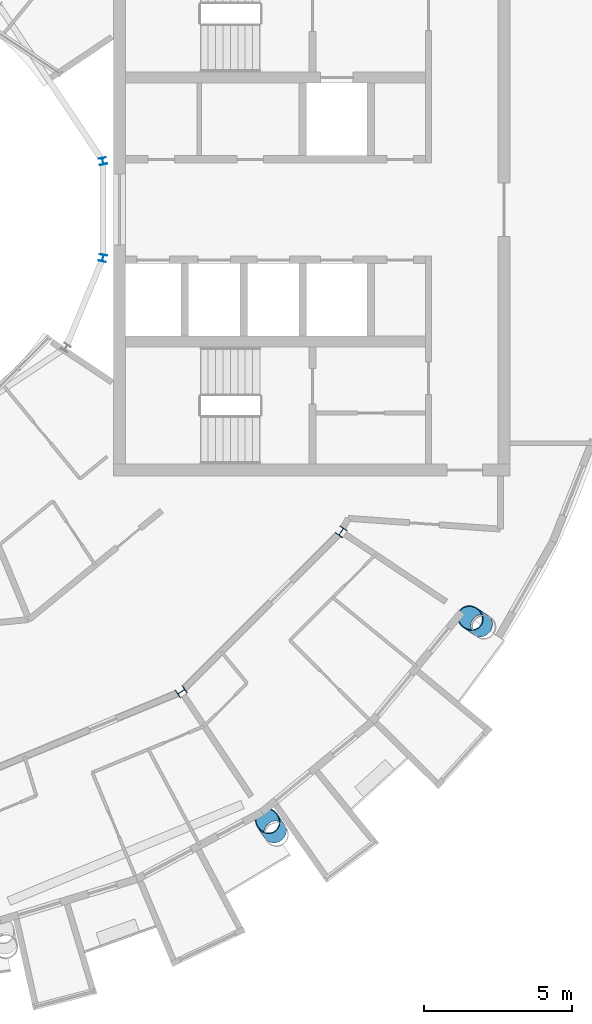
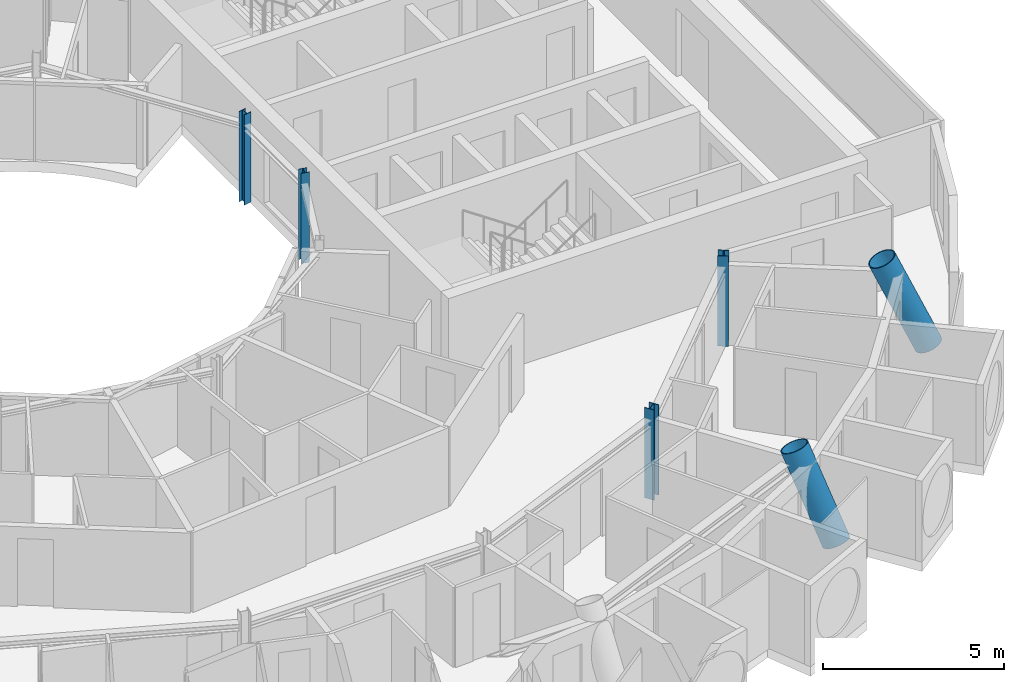
# One storey, part 3 of 27: 6 columns.
"""IFC4 building model written with IfcOpenShell, lengths in metres."""

from ifc_helpers import new_model, si_unit, direction, frame, origin, origin_2d, place, context, subcontext, project, spatial, hollow_circle, i_section, extrude, material, material_profile, profile_set, type_object, element, save


model = new_model("IFC4")

# Units and contexts
model_context = context("Model", 3, precision=1e-05, world=origin(), true_north=direction((0.0, 1.0)))
body_context = subcontext(model_context, "Body", "Model", "MODEL_VIEW")
ifc_project = project(units=[si_unit("LENGTHUNIT", "METRE"), si_unit("AREAUNIT", "SQUARE_METRE"), si_unit("VOLUMEUNIT", "CUBIC_METRE"), si_unit("PLANEANGLEUNIT", "RADIAN"), si_unit("MASSUNIT", "GRAM", prefix="KILO")], contexts=[model_context])

# Site, building, storey
site_placement = place(None, origin())
site = spatial("IfcSite", under=ifc_project, at=site_placement, CompositionType="ELEMENT")
building_placement = place(site_placement, origin())
building = spatial("IfcBuilding", under=site, at=building_placement, Name="Maasbend Ring Residences", CompositionType="ELEMENT")
storey_placement = place(building_placement, frame((0.0, 0.0, 243.199951171875)))
storey = spatial("IfcBuildingStorey", under=building, at=storey_placement, Name="L70", CompositionType="ELEMENT", Elevation=243.199951171875)

# Columns
ifc_material_1 = material(Name="Composite concrete-filled steel tube S460NH / C80/95", Category="concrete")
ifc_material_profile_1 = material_profile(ifc_material_1, hollow_circle(Radius=0.406494140625, WallThickness=0.030029296875, at=origin_2d()), Name="Composite tube column CHS 813x30")
ifc_profile_set_1 = profile_set([ifc_material_profile_1], Name="Composite concrete-filled steel tube S460NH / C80/95")
column_type_1 = type_object("IfcColumnType", Name="Composite tube column CHS 813x30", PredefinedType="COLUMN", material=ifc_profile_set_1)
for number, where, z_axis, x_axis, name in (
    (1, (14.0498046875, -21.027099609375, 0.241943359375), (-0.231750495433, 0.346875102267, 0.908828570905), (-0.831496228988, -0.555530396269, 0.0), "Outer column R14"),
    (2, (21.027099609375, -14.0498046875, 0.241943359375), (-0.346875102267, 0.231750495433, 0.908828570905), (-0.555530396269, -0.831496228988, 0.0), "Outer column R15"),
):
    element("IfcColumn", number, at=place(storey_placement, frame(where, z_axis=z_axis, x_axis=x_axis)), inside=storey, type_object=column_type_1, Name=name, PredefinedType="COLUMN", context=body_context, shape_type="SweptSolid", body=[
        extrude(hollow_circle(Radius=0.406494140625, WallThickness=0.030029296875, at=origin_2d()), origin(), (0.0, 0.0, 1.0), 3.08984375),
    ])
ifc_material_2 = material(Name="Steel S355J2", Category="steel")
ifc_material_profile_2 = material_profile(ifc_material_2, i_section(OverallWidth=0.239990234375, OverallDepth=0.22998046875, WebThickness=0.007568359375, FlangeThickness=0.011962890625, FilletRadius=0.02099609375, at=origin_2d()), Name="HEA 240")
ifc_profile_set_2 = profile_set([ifc_material_profile_2], Name="Steel S355J2")
column_type_2 = type_object("IfcColumnType", Name="Steel column HEA 240", PredefinedType="COLUMN", material=ifc_profile_set_2)
for number, where, z_axis, x_axis, name in (
    (3, (8.238525390625, 1.638916015625, 0.0), (0.0, 0.0, 1.0), (0.980785280403, 0.195090322016, 0.0), "Well ring column R1"),
    (4, (8.238525390625, -1.638916015625, 0.0), (0.0, 0.0, 1.0), (0.980785280403, -0.195090322016, 0.0), "Well ring column R16"),
):
    element("IfcColumn", number, at=place(storey_placement, frame(where, z_axis=z_axis, x_axis=x_axis)), inside=storey, type_object=column_type_2, Name=name, PredefinedType="COLUMN", context=body_context, shape_type="SweptSolid", body=[
        extrude(i_section(OverallWidth=0.239990234375, OverallDepth=0.22998046875, WebThickness=0.007568359375, FlangeThickness=0.011962890625, FilletRadius=0.02099609375, at=origin_2d()), origin(), (0.0, 0.0, 1.0), 3.050048828125),
    ])
ifc_material_3 = material(Name="Steel S355J2", Category="steel")
ifc_material_profile_3 = material_profile(ifc_material_3, i_section(OverallWidth=0.300048828125, OverallDepth=0.300048828125, WebThickness=0.010986328125, FlangeThickness=0.01904296875, FilletRadius=0.027099609375, at=origin_2d()), Name="HEB 300")
ifc_profile_set_3 = profile_set([ifc_material_profile_3], Name="Steel S355J2")
column_type_3 = type_object("IfcColumnType", Name="Steel column HEB 300", PredefinedType="COLUMN", material=ifc_profile_set_3)
for number, where, z_axis, x_axis, name in (
    (5, (10.88916015625, -16.296875, 0.0), (0.0, 0.0, 1.0), (0.55557023302, -0.831469612303, 0.0), "Corridor ring column R14"),
    (6, (16.296875, -10.88916015625, 0.0), (0.0, 0.0, 1.0), (0.831469612303, -0.55557023302, 0.0), "Corridor ring column R15"),
):
    element("IfcColumn", number, at=place(storey_placement, frame(where, z_axis=z_axis, x_axis=x_axis)), inside=storey, type_object=column_type_3, Name=name, PredefinedType="COLUMN", context=body_context, shape_type="SweptSolid", body=[
        extrude(i_section(OverallWidth=0.300048828125, OverallDepth=0.300048828125, WebThickness=0.010986328125, FlangeThickness=0.01904296875, FilletRadius=0.027099609375, at=origin_2d()), origin(), (0.0, 0.0, 1.0), 3.050048828125),
    ])

save(model, "model.ifc")
